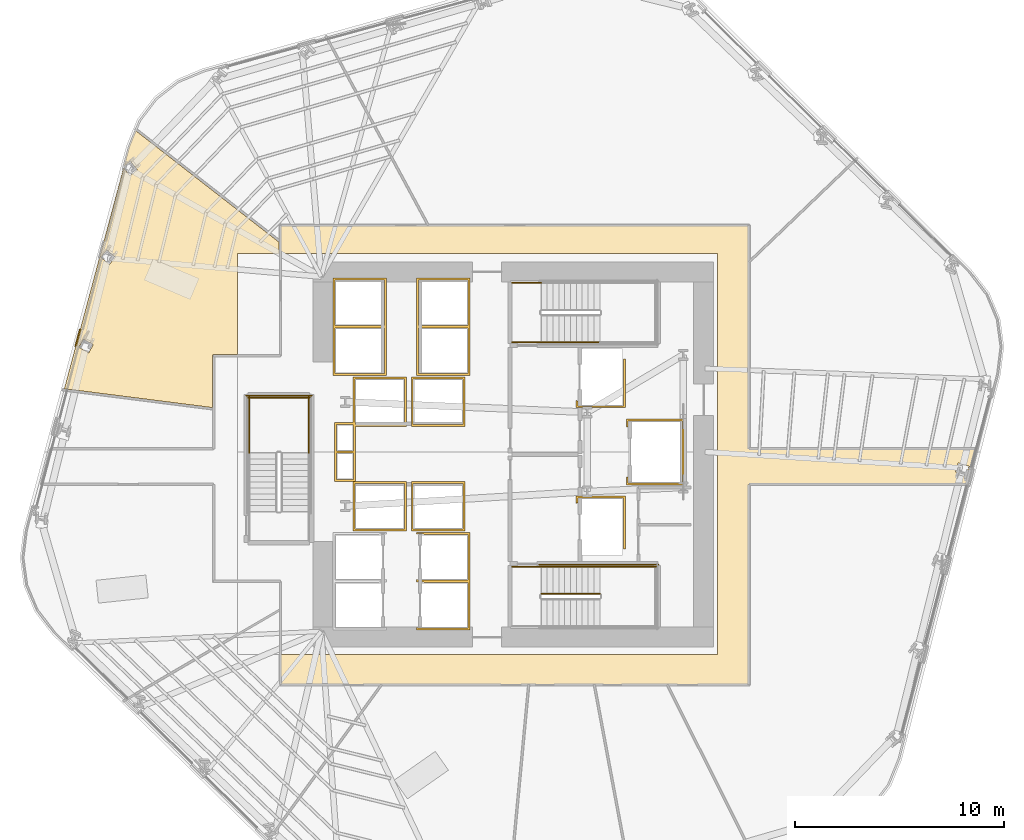
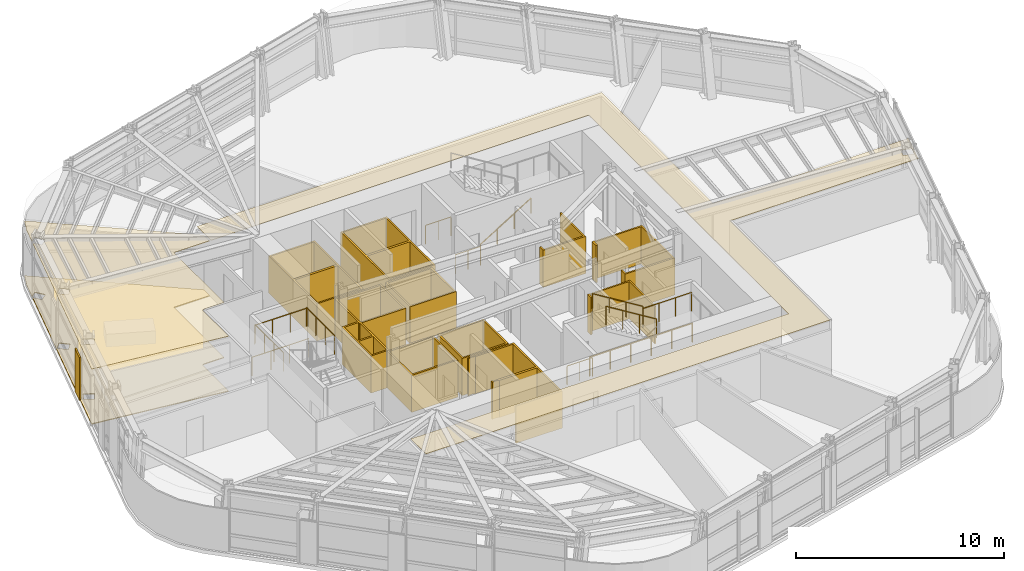
# One storey, part 13 of 16: 14 coverings, 12 railings.
"""IFC4 building model written with IfcOpenShell, lengths in metres."""

from ifc_helpers import new_model, si_unit, direction, frame, origin, origin_2d, place, context, subcontext, project, spatial, polyline, circle, outline, extrude, material, layer, layer_set, type_object, element, save


model = new_model("IFC4")

# Units and contexts
model_context = context("Model", 3, precision=1e-05, world=origin(), true_north=direction((0.0, 1.0)))
body_context = subcontext(model_context, "Body", "Model", "MODEL_VIEW")
ifc_project = project(units=[si_unit("LENGTHUNIT", "METRE"), si_unit("AREAUNIT", "SQUARE_METRE"), si_unit("VOLUMEUNIT", "CUBIC_METRE"), si_unit("PLANEANGLEUNIT", "RADIAN"), si_unit("MASSUNIT", "GRAM", prefix="KILO")], contexts=[model_context])

# Site, building, storey
site_placement = place(None, origin())
site = spatial("IfcSite", under=ifc_project, at=site_placement, CompositionType="ELEMENT")
building_placement = place(site_placement, origin())
building = spatial("IfcBuilding", under=site, at=building_placement, Name="Valkerne Bourse Tower", CompositionType="ELEMENT")
storey_placement = place(building_placement, frame((0.0, 0.0, 89.60009765625)))
storey = spatial("IfcBuildingStorey", under=building, at=storey_placement, Name="L22", CompositionType="ELEMENT", Elevation=89.60009765625)

# Coverings
ifc_material_1 = material(Name="Mineral Fiber Acoustic Ceiling Tile", Category="acoustic")
ifc_layer_1 = layer(ifc_material_1, 0.02490234375)
ifc_layer_set_1 = layer_set([ifc_layer_1], Name="Mineral Fiber Acoustic Ceiling Tile")
covering_type_1 = type_object("IfcCoveringType", Name="COV-CEIL-ACT", PredefinedType="CEILING", material=ifc_layer_set_1)
covering_1_placement = place(storey_placement, frame((0.0, 0.0, 3.22998046875)))
element("IfcCovering", 1, at=covering_1_placement, inside=storey, type_object=covering_type_1, Name="L22 Suspended Ceiling 07", PredefinedType="CEILING", context=body_context, shape_type="SweptSolid", body=[
    extrude(outline(polyline([(35.5810546875, 37.05078125), (35.5810546875, 36.5), (33.60009765625, 36.5), (33.60009765625, 31.6689453125), (32.44921875, 31.6689453125), (32.408447265625, 31.6552734375), (32.3876953125, 31.6298828125), (32.381103515625, 31.6005859375), (32.381103515625, 29.124267578125), (25.293701171875, 30.026611328125), (28.13134765625, 40.614013671875), (28.434326171875, 40.2333984375), (28.78564453125, 40.511962890625), (28.78759765625, 40.5146484375), (28.451904296875, 40.93603515625), (28.154296875, 40.7001953125), (28.40478515625, 41.635009765625), (28.7138671875, 42.3916015625), (35.5810546875, 37.05078125)]), holes=[polyline([(26.677001953125, 32.14111328125), (26.677734375, 32.14404296875), (26.2060546875, 32.404296875), (25.98876953125, 32.01220703125), (25.98779296875, 32.00927734375), (26.459716796875, 31.7490234375), (26.677001953125, 32.14111328125)]), polyline([(27.739501953125, 36.326416015625), (27.33056640625, 36.677490234375), (27.0380859375, 36.337890625), (27.03662109375, 36.3349609375), (27.4453125, 35.98388671875), (27.738037109375, 36.32373046875), (27.739501953125, 36.326416015625)])]), origin(), (0.0, 0.0, 1.0), 0.02490234375),
])
ifc_material_2 = material(Name="Bronze Anodised Aluminium AA 6063-T6", Category="aluminium")
ifc_layer_2 = layer(ifc_material_2, 0.030029296875)
ifc_layer_set_2 = layer_set([ifc_layer_2], Name="Bronze Anodised Aluminium AA 6063-T6")
covering_type_2 = type_object("IfcCoveringType", Name="COV-CEIL-METAL", PredefinedType="CEILING", material=ifc_layer_set_2)
covering_2_placement = place(storey_placement, frame((0.0, 0.0, 3.22998046875)))
element("IfcCovering", 2, at=covering_2_placement, inside=storey, type_object=covering_type_2, Name="L22 Suspended Ceiling 01", PredefinedType="CEILING", context=body_context, shape_type="SweptSolid", body=[
    extrude(outline(polyline([(68.948486328125, 27.14599609375), (68.51416015625, 25.4541015625), (58.095947265625, 25.4541015625), (58.095947265625, 15.85400390625), (35.654052734375, 15.85400390625), (35.654052734375, 17.300048828125), (56.60009765625, 17.300048828125), (56.60009765625, 36.5), (35.654052734375, 36.5), (35.654052734375, 37.845947265625), (58.095947265625, 37.845947265625), (58.095947265625, 27.14599609375), (68.948486328125, 27.14599609375)]), holes=[polyline([(68.646240234375, 26.310302734375), (68.646240234375, 26.313720703125), (68.131591796875, 26.472412109375), (67.99853515625, 26.044189453125), (67.998291015625, 26.041259765625), (68.51318359375, 25.88232421875), (68.646240234375, 26.310302734375)])]), origin(), (0.0, 0.0, 1.0), 0.02490234375),
])
ifc_layer_3 = layer(ifc_material_2, 0.06005859375)
ifc_layer_set_3 = layer_set([ifc_layer_3], Name="Bronze Anodised Aluminium AA 6063-T6")
covering_type_3 = type_object("IfcCoveringType", Name="COV-CRN-ALUM", PredefinedType="CLADDING", material=ifc_layer_set_3)
covering_3_placement = place(storey_placement, origin())
element("IfcCovering", 3, at=covering_3_placement, inside=storey, type_object=covering_type_3, Name="L22 Wind-Shaped Corner Aluminium Cladding 11", PredefinedType="CLADDING", context=body_context, shape_type="SweptSolid", body=[
    extrude(outline(polyline([(26.014892578125, 32.88720703125), (26.09228515625, 32.86669921875), (25.874755859375, 32.055419921875), (25.79736328125, 32.07568359375), (26.014892578125, 32.88720703125)])), origin(), (0.0, 0.0, 1.0), 2.5),
])
ifc_material_3 = material(Name="Galvanised Painted Steel", Category="steel")
ifc_layer_4 = layer(ifc_material_3, 0.044921875)
ifc_layer_set_4 = layer_set([ifc_layer_4], Name="Galvanised Painted Steel")
covering_type_4 = type_object("IfcCoveringType", Name="COV-FLR-RAF", PredefinedType="FLOORING", material=ifc_layer_set_4)
covering_4_placement = place(storey_placement, origin())
element("IfcCovering", 4, at=covering_4_placement, inside=storey, type_object=covering_type_4, Name="L22 Floor Finish 07", PredefinedType="FLOORING", context=body_context, shape_type="SweptSolid", body=[
    extrude(outline(polyline([(35.5810546875, 37.05078125), (35.5810546875, 36.5), (33.60009765625, 36.5), (33.60009765625, 31.6689453125), (32.44921875, 31.6689453125), (32.408447265625, 31.6552734375), (32.3876953125, 31.6298828125), (32.381103515625, 31.6005859375), (32.381103515625, 29.124267578125), (25.293701171875, 30.026611328125), (28.13134765625, 40.614013671875), (28.434326171875, 40.2333984375), (28.78564453125, 40.511962890625), (28.78759765625, 40.5146484375), (28.451904296875, 40.93603515625), (28.154296875, 40.7001953125), (28.40478515625, 41.635009765625), (28.7138671875, 42.3916015625), (35.5810546875, 37.05078125)]), holes=[polyline([(26.677001953125, 32.14111328125), (26.677734375, 32.14404296875), (26.2060546875, 32.404296875), (25.98876953125, 32.01220703125), (25.98779296875, 32.00927734375), (26.459716796875, 31.7490234375), (26.677001953125, 32.14111328125)]), polyline([(27.739501953125, 36.326416015625), (27.33056640625, 36.677490234375), (27.0380859375, 36.337890625), (27.03662109375, 36.3349609375), (27.4453125, 35.98388671875), (27.738037109375, 36.32373046875), (27.739501953125, 36.326416015625)])]), origin(), (0.0, 0.0, 1.0), 0.044921875),
])
ifc_material_4 = material(Name="Gypsum Shaftwall Liner Board", Category="gypsum")
ifc_layer_5 = layer(ifc_material_4, 0.080078125)
ifc_layer_set_5 = layer_set([ifc_layer_5], Name="Gypsum Shaftwall Liner Board")
covering_type_5 = type_object("IfcCoveringType", Name="COV-SHF-CLAD", PredefinedType="CLADDING", material=ifc_layer_set_5)
covering_5_placement = place(storey_placement, origin())
element("IfcCovering", 5, at=covering_5_placement, inside=storey, type_object=covering_type_5, Name="L22 Hoistway & Riser Shaftwall Liner 02", PredefinedType="CLADDING", context=body_context, shape_type="SweptSolid", body=[
    extrude(outline(polyline([(41.679931640625, 23.219970703125), (39.1201171875, 23.219970703125), (39.1201171875, 25.580078125), (41.679931640625, 25.580078125), (41.679931640625, 23.219970703125)]), holes=[polyline([(39.2099609375, 25.489990234375), (39.2099609375, 23.31005859375), (41.590087890625, 23.31005859375), (41.590087890625, 25.489990234375), (39.2099609375, 25.489990234375)])]), origin(), (0.0, 0.0, 1.0), 2.179931640625),
])
covering_6_placement = place(storey_placement, origin())
element("IfcCovering", 6, at=covering_6_placement, inside=storey, type_object=covering_type_5, Name="L22 Hoistway & Riser Shaftwall Liner 03", PredefinedType="CLADDING", context=body_context, shape_type="SweptSolid", body=[
    extrude(outline(polyline([(44.47998046875, 23.219970703125), (41.919921875, 23.219970703125), (41.919921875, 25.580078125), (44.47998046875, 25.580078125), (44.47998046875, 23.219970703125)]), holes=[polyline([(42.010009765625, 25.489990234375), (42.010009765625, 23.31005859375), (44.389892578125, 23.31005859375), (44.389892578125, 25.489990234375), (42.010009765625, 25.489990234375)])]), origin(), (0.0, 0.0, 1.0), 2.179931640625),
])
covering_7_placement = place(storey_placement, origin())
element("IfcCovering", 7, at=covering_7_placement, inside=storey, type_object=covering_type_5, Name="L22 Hoistway & Riser Shaftwall Liner 04", PredefinedType="CLADDING", context=body_context, shape_type="SweptSolid", body=[
    extrude(outline(polyline([(38.239990234375, 28.409912109375), (39.1201171875, 28.409912109375), (39.1201171875, 30.580078125), (41.679931640625, 30.580078125), (41.679931640625, 28.219970703125), (39.239990234375, 28.219970703125), (39.239990234375, 27.0400390625), (39.239990234375, 26.9599609375), (39.239990234375, 25.590087890625), (38.239990234375, 25.590087890625), (38.239990234375, 26.9599609375), (38.239990234375, 27.0400390625), (38.239990234375, 28.409912109375)]), holes=[polyline([(39.2099609375, 30.489990234375), (39.2099609375, 28.409912109375), (39.239990234375, 28.409912109375), (39.239990234375, 28.31005859375), (41.590087890625, 28.31005859375), (41.590087890625, 30.489990234375), (39.2099609375, 30.489990234375)]), polyline([(38.330078125, 26.949951171875), (38.330078125, 25.679931640625), (39.14990234375, 25.679931640625), (39.14990234375, 26.949951171875), (38.330078125, 26.949951171875)]), polyline([(39.1201171875, 28.219970703125), (39.1201171875, 28.320068359375), (38.330078125, 28.320068359375), (38.330078125, 27.050048828125), (39.14990234375, 27.050048828125), (39.14990234375, 28.219970703125), (39.1201171875, 28.219970703125)])]), origin(), (0.0, 0.0, 1.0), 2.179931640625),
])
covering_8_placement = place(storey_placement, origin())
element("IfcCovering", 8, at=covering_8_placement, inside=storey, type_object=covering_type_5, Name="L22 Hoistway & Riser Shaftwall Liner 05", PredefinedType="CLADDING", context=body_context, shape_type="SweptSolid", body=[
    extrude(outline(polyline([(38.169921875, 35.330078125), (40.72998046875, 35.330078125), (40.72998046875, 33.030029296875), (40.72998046875, 32.969970703125), (40.72998046875, 30.669921875), (38.169921875, 30.669921875), (38.169921875, 32.969970703125), (38.169921875, 33.030029296875), (38.169921875, 35.330078125)]), holes=[polyline([(38.260009765625, 32.93994140625), (38.260009765625, 30.760009765625), (40.639892578125, 30.760009765625), (40.639892578125, 32.93994140625), (38.260009765625, 32.93994140625)]), polyline([(38.260009765625, 35.239990234375), (38.260009765625, 33.06005859375), (40.639892578125, 33.06005859375), (40.639892578125, 35.239990234375), (38.260009765625, 35.239990234375)])]), origin(), (0.0, 0.0, 1.0), 2.179931640625),
])
covering_9_placement = place(storey_placement, origin())
element("IfcCovering", 9, at=covering_9_placement, inside=storey, type_object=covering_type_5, Name="L22 Hoistway & Riser Shaftwall Liner 06", PredefinedType="CLADDING", context=body_context, shape_type="SweptSolid", body=[
    extrude(outline(polyline([(42.169921875, 20.830078125), (42.169921875, 20.887939453125), (42.177734375, 20.88427734375), (42.219482421875, 20.869384765625), (42.26220703125, 20.858642578125), (42.305908203125, 20.852294921875), (42.35009765625, 20.85009765625), (42.39404296875, 20.852294921875), (42.437744140625, 20.858642578125), (42.443115234375, 20.860107421875), (44.639892578125, 20.860107421875), (44.639892578125, 23.0400390625), (42.555419921875, 23.0400390625), (42.522216796875, 23.0556640625), (42.480712890625, 23.070556640625), (42.437744140625, 23.081298828125), (42.39404296875, 23.087890625), (42.35009765625, 23.090087890625), (42.305908203125, 23.087890625), (42.26220703125, 23.081298828125), (42.219482421875, 23.070556640625), (42.177734375, 23.0556640625), (42.169921875, 23.052001953125), (42.169921875, 23.1298828125), (44.72998046875, 23.1298828125), (44.72998046875, 20.830078125), (44.72998046875, 20.77001953125), (44.72998046875, 18.469970703125), (42.169921875, 18.469970703125), (42.169921875, 18.587890625), (42.177734375, 18.584228515625), (42.219482421875, 18.5693359375), (42.26220703125, 18.55859375), (42.305908203125, 18.55224609375), (42.35009765625, 18.550048828125), (42.39404296875, 18.55224609375), (42.437744140625, 18.55859375), (42.443115234375, 18.56005859375), (44.639892578125, 18.56005859375), (44.639892578125, 20.739990234375), (42.555419921875, 20.739990234375), (42.522216796875, 20.755615234375), (42.480712890625, 20.7705078125), (42.437744140625, 20.781494140625), (42.39404296875, 20.787841796875), (42.35009765625, 20.7900390625), (42.305908203125, 20.787841796875), (42.26220703125, 20.781494140625), (42.219482421875, 20.7705078125), (42.177734375, 20.755615234375), (42.169921875, 20.752197265625), (42.169921875, 20.77001953125), (42.169921875, 20.830078125)])), origin(), (0.0, 0.0, 1.0), 2.179931640625),
])
covering_10_placement = place(storey_placement, origin())
element("IfcCovering", 10, at=covering_10_placement, inside=storey, type_object=covering_type_5, Name="L22 Hoistway & Riser Shaftwall Liner 07", PredefinedType="CLADDING", context=body_context, shape_type="SweptSolid", body=[
    extrude(outline(polyline([(52.179931640625, 22.35009765625), (52.090087890625, 22.35009765625), (52.090087890625, 24.7900390625), (49.909912109375, 24.7900390625), (49.909912109375, 24.560791015625), (49.869384765625, 24.550537109375), (49.827880859375, 24.53564453125), (49.820068359375, 24.531982421875), (49.820068359375, 24.8798828125), (52.179931640625, 24.8798828125), (52.179931640625, 22.35009765625)])), origin(), (0.0, 0.0, 1.0), 2.179931640625),
])
covering_11_placement = place(storey_placement, origin())
element("IfcCovering", 11, at=covering_11_placement, inside=storey, type_object=covering_type_5, Name="L22 Hoistway & Riser Shaftwall Liner 08", PredefinedType="CLADDING", context=body_context, shape_type="SweptSolid", body=[
    extrude(outline(polyline([(54.97998046875, 25.419921875), (52.219970703125, 25.419921875), (52.219970703125, 25.81787109375), (52.227783203125, 25.814208984375), (52.269287109375, 25.79931640625), (52.31005859375, 25.789306640625), (52.31005859375, 25.510009765625), (54.889892578125, 25.510009765625), (54.889892578125, 28.489990234375), (52.31005859375, 28.489990234375), (52.31005859375, 28.210693359375), (52.269287109375, 28.20068359375), (52.227783203125, 28.185791015625), (52.219970703125, 28.18212890625), (52.219970703125, 28.580078125), (54.97998046875, 28.580078125), (54.97998046875, 25.419921875)])), origin(), (0.0, 0.0, 1.0), 2.179931640625),
])
covering_12_placement = place(storey_placement, origin())
element("IfcCovering", 12, at=covering_12_placement, inside=storey, type_object=covering_type_5, Name="L22 Hoistway & Riser Shaftwall Liner 09", PredefinedType="CLADDING", context=body_context, shape_type="SweptSolid", body=[
    extrude(outline(polyline([(44.47998046875, 28.219970703125), (41.919921875, 28.219970703125), (41.919921875, 30.580078125), (44.47998046875, 30.580078125), (44.47998046875, 28.219970703125)]), holes=[polyline([(42.010009765625, 30.489990234375), (42.010009765625, 28.31005859375), (44.389892578125, 28.31005859375), (44.389892578125, 30.489990234375), (42.010009765625, 30.489990234375)])]), origin(), (0.0, 0.0, 1.0), 2.179931640625),
])
covering_13_placement = place(storey_placement, origin())
element("IfcCovering", 13, at=covering_13_placement, inside=storey, type_object=covering_type_5, Name="L22 Hoistway & Riser Shaftwall Liner 10", PredefinedType="CLADDING", context=body_context, shape_type="SweptSolid", body=[
    extrude(outline(polyline([(49.820068359375, 29.1201171875), (49.820068359375, 29.468017578125), (49.827880859375, 29.46435546875), (49.869384765625, 29.449462890625), (49.909912109375, 29.439208984375), (49.909912109375, 29.2099609375), (52.090087890625, 29.2099609375), (52.090087890625, 31.449951171875), (52.179931640625, 31.449951171875), (52.179931640625, 29.1201171875), (49.820068359375, 29.1201171875)])), origin(), (0.0, 0.0, 1.0), 2.179931640625),
])
covering_14_placement = place(storey_placement, origin())
element("IfcCovering", 14, at=covering_14_placement, inside=storey, type_object=covering_type_5, Name="L22 Hoistway & Riser Shaftwall Liner 11", PredefinedType="CLADDING", context=body_context, shape_type="SweptSolid", body=[
    extrude(outline(polyline([(44.72998046875, 35.330078125), (44.72998046875, 33.030029296875), (44.72998046875, 32.969970703125), (44.72998046875, 30.669921875), (42.169921875, 30.669921875), (42.169921875, 32.969970703125), (42.169921875, 33.030029296875), (42.169921875, 35.330078125), (44.72998046875, 35.330078125)]), holes=[polyline([(42.260009765625, 30.760009765625), (44.639892578125, 30.760009765625), (44.639892578125, 32.93994140625), (42.260009765625, 32.93994140625), (42.260009765625, 30.760009765625)]), polyline([(42.260009765625, 33.06005859375), (44.639892578125, 33.06005859375), (44.639892578125, 35.239990234375), (42.260009765625, 35.239990234375), (42.260009765625, 33.06005859375)])]), origin(), (0.0, 0.0, 1.0), 2.179931640625),
])

# Railings
railing_type_1 = type_object("IfcRailingType", Name="RLG-ST-GUARD-1120", PredefinedType="GUARDRAIL", material=ifc_material_3)
railing_1_placement = place(storey_placement, frame((50.949951171875, 21.5, 1.89990234375)))
element("IfcRailing", 15, at=railing_1_placement, inside=storey, type_object=railing_type_1, Name="L22 ST-1 stair guard 4", PredefinedType="GUARDRAIL", context=body_context, shape_type="SweptSolid", body=[
    extrude(circle(Radius=0.02392578125, at=origin_2d()), frame((0.0, 0.0, 1.09619140625), z_axis=(1.0, 0.0, 0.0), x_axis=(0.0, 1.0, 0.0)), (0.0, 0.0, 1.0), 2.699951171875),
    extrude(circle(Radius=0.02099609375, at=origin_2d()), origin(), (0.0, 0.0, 1.0), 1.072021484375),
    extrude(circle(Radius=0.02099609375, at=origin_2d()), frame((0.89990234375, 0.0, 0.0)), (0.0, 0.0, 1.0), 1.072021484375),
    extrude(circle(Radius=0.02099609375, at=origin_2d()), frame((1.800048828125, 0.0, 0.0)), (0.0, 0.0, 1.0), 1.072021484375),
    extrude(circle(Radius=0.02099609375, at=origin_2d()), frame((2.699951171875, 0.0, 0.0)), (0.0, 0.0, 1.0), 1.072021484375),
])
railing_2_placement = place(storey_placement, frame((50.949951171875, 20.199951171875, 2.072509765625)))
element("IfcRailing", 16, at=railing_2_placement, inside=storey, type_object=railing_type_1, Name="L22 ST-1 stair guard 6", PredefinedType="GUARDRAIL", context=body_context, shape_type="SweptSolid", body=[
    extrude(circle(Radius=0.02392578125, at=origin_2d()), frame((0.0, 0.0, 1.09619140625), z_axis=(-0.851089632645, 0.0, 0.525020415988), x_axis=(0.0, -1.0, 0.0)), (0.0, 0.0, 1.0), 3.2900390625),
    extrude(circle(Radius=0.02099609375, at=origin_2d()), origin(), (0.0, 0.0, 1.0), 1.072021484375),
    extrude(circle(Radius=0.02099609375, at=origin_2d()), frame((-0.933349609375, 0.0, 0.57568359375)), (0.0, 0.0, 1.0), 1.072021484375),
    extrude(circle(Radius=0.02099609375, at=origin_2d()), frame((-1.86669921875, 0.0, 1.151611328125)), (0.0, 0.0, 1.0), 1.072021484375),
    extrude(circle(Radius=0.02099609375, at=origin_2d()), frame((-2.800048828125, 0.0, 1.727294921875)), (0.0, 0.0, 1.0), 1.072021484375),
])
railing_3_placement = place(storey_placement, frame((46.75, 21.5, 0.0)))
element("IfcRailing", 17, at=railing_3_placement, inside=storey, type_object=railing_type_1, Name="L22 ST-1 stair guard 9", PredefinedType="GUARDRAIL", context=body_context, shape_type="SweptSolid", body=[
    extrude(circle(Radius=0.02392578125, at=origin_2d()), frame((0.0, 0.0, 1.09619140625), z_axis=(1.0, 0.0, 0.0), x_axis=(0.0, 1.0, 0.0)), (0.0, 0.0, 1.0), 1.39990234375),
    extrude(circle(Radius=0.02099609375, at=origin_2d()), origin(), (0.0, 0.0, 1.0), 1.072021484375),
    extrude(circle(Radius=0.02099609375, at=origin_2d()), frame((0.699951171875, 0.0, 0.0)), (0.0, 0.0, 1.0), 1.072021484375),
    extrude(circle(Radius=0.02099609375, at=origin_2d()), frame((1.39990234375, 0.0, 0.0)), (0.0, 0.0, 1.0), 1.072021484375),
])
railing_4_placement = place(storey_placement, frame((48.050048828125, 21.60009765625, 0.0)))
element("IfcRailing", 18, at=railing_4_placement, inside=storey, type_object=railing_type_1, Name="L22 ST-1 stair guard 11", PredefinedType="GUARDRAIL", context=body_context, shape_type="SweptSolid", body=[
    extrude(circle(Radius=0.02392578125, at=origin_2d()), frame((0.0, 0.0, 1.09619140625), z_axis=(1.0, 0.0, 0.0), x_axis=(0.0, 1.0, 0.0)), (0.0, 0.0, 1.0), 5.699951171875),
    extrude(circle(Radius=0.02099609375, at=origin_2d()), origin(), (0.0, 0.0, 1.0), 1.072021484375),
    extrude(circle(Radius=0.02099609375, at=origin_2d()), frame((1.139892578125, 0.0, 0.0)), (0.0, 0.0, 1.0), 1.072021484375),
    extrude(circle(Radius=0.02099609375, at=origin_2d()), frame((2.280029296875, 0.0, 0.0)), (0.0, 0.0, 1.0), 1.072021484375),
    extrude(circle(Radius=0.02099609375, at=origin_2d()), frame((3.419921875, 0.0, 0.0)), (0.0, 0.0, 1.0), 1.072021484375),
    extrude(circle(Radius=0.02099609375, at=origin_2d()), frame((4.56005859375, 0.0, 0.0)), (0.0, 0.0, 1.0), 1.072021484375),
    extrude(circle(Radius=0.02099609375, at=origin_2d()), frame((5.699951171875, 0.0, 0.0)), (0.0, 0.0, 1.0), 1.072021484375),
])
for number, where, name in (
    (19, (46.75, 32.25, 0.0), "L22 ST-2 stair guard 8"),
    (20, (46.75, 35.10009765625, 0.0), "L22 ST-2 stair guard 9"),
):
    element("IfcRailing", number, at=place(storey_placement, frame(where)), inside=storey, type_object=railing_type_1, Name=name, PredefinedType="GUARDRAIL", context=body_context, shape_type="SweptSolid", body=[
        extrude(circle(Radius=0.02392578125, at=origin_2d()), frame((0.0, 0.0, 1.09619140625), z_axis=(1.0, 0.0, 0.0), x_axis=(0.0, 1.0, 0.0)), (0.0, 0.0, 1.0), 1.39990234375),
        extrude(circle(Radius=0.02099609375, at=origin_2d()), origin(), (0.0, 0.0, 1.0), 1.072021484375),
        extrude(circle(Radius=0.02099609375, at=origin_2d()), frame((0.699951171875, 0.0, 0.0)), (0.0, 0.0, 1.0), 1.072021484375),
        extrude(circle(Radius=0.02099609375, at=origin_2d()), frame((1.39990234375, 0.0, 0.0)), (0.0, 0.0, 1.0), 1.072021484375),
    ])
for number, where, name in (
    (21, (37.0, 26.949951171875, 1.89990234375), "L22 ST-3 stair guard 3"),
    (22, (34.14990234375, 26.949951171875, 1.89990234375), "L22 ST-3 stair guard 4"),
):
    element("IfcRailing", number, at=place(storey_placement, frame(where)), inside=storey, type_object=railing_type_1, Name=name, PredefinedType="GUARDRAIL", context=body_context, shape_type="SweptSolid", body=[
        extrude(circle(Radius=0.02392578125, at=origin_2d()), frame((0.0, 0.0, 1.09619140625), z_axis=(0.0, 1.0, 0.0), x_axis=(-1.0, 0.0, 0.0)), (0.0, 0.0, 1.0), 2.699951171875),
        extrude(circle(Radius=0.02099609375, at=origin_2d()), origin(), (0.0, 0.0, 1.0), 1.072021484375),
        extrude(circle(Radius=0.02099609375, at=origin_2d()), frame((0.0, 0.89990234375, 0.0)), (0.0, 0.0, 1.0), 1.072021484375),
        extrude(circle(Radius=0.02099609375, at=origin_2d()), frame((0.0, 1.800048828125, 0.0)), (0.0, 0.0, 1.0), 1.072021484375),
        extrude(circle(Radius=0.02099609375, at=origin_2d()), frame((0.0, 2.699951171875, 0.0)), (0.0, 0.0, 1.0), 1.072021484375),
    ])
railing_5_placement = place(storey_placement, frame((37.050048828125, 29.60009765625, 1.89990234375)))
element("IfcRailing", 23, at=railing_5_placement, inside=storey, type_object=railing_type_1, Name="L22 ST-3 stair guard 5", PredefinedType="GUARDRAIL", context=body_context, shape_type="SweptSolid", body=[
    extrude(circle(Radius=0.02392578125, at=origin_2d()), frame((0.0, 0.0, 1.09619140625), z_axis=(-1.0, 0.0, 0.0), x_axis=(0.0, -1.0, 0.0)), (0.0, 0.0, 1.0), 2.949951171875),
    extrude(circle(Radius=0.02099609375, at=origin_2d()), origin(), (0.0, 0.0, 1.0), 1.072021484375),
    extrude(circle(Radius=0.02099609375, at=origin_2d()), frame((-0.9833984375, 0.0, 0.0)), (0.0, 0.0, 1.0), 1.072021484375),
    extrude(circle(Radius=0.02099609375, at=origin_2d()), frame((-1.966552734375, 0.0, 0.0)), (0.0, 0.0, 1.0), 1.072021484375),
    extrude(circle(Radius=0.02099609375, at=origin_2d()), frame((-2.949951171875, 0.0, 0.0)), (0.0, 0.0, 1.0), 1.072021484375),
])
railing_6_placement = place(storey_placement, frame((37.14990234375, 29.699951171875, 0.0)))
element("IfcRailing", 24, at=railing_6_placement, inside=storey, type_object=railing_type_1, Name="L22 ST-3 stair guard 12", PredefinedType="GUARDRAIL", context=body_context, shape_type="SweptSolid", body=[
    extrude(circle(Radius=0.02392578125, at=origin_2d()), frame((0.0, 0.0, 1.09619140625), z_axis=(-1.0, 0.0, 0.0), x_axis=(0.0, -1.0, 0.0)), (0.0, 0.0, 1.0), 3.14990234375),
    extrude(circle(Radius=0.02099609375, at=origin_2d()), origin(), (0.0, 0.0, 1.0), 1.072021484375),
    extrude(circle(Radius=0.02099609375, at=origin_2d()), frame((-1.050048828125, 0.0, 0.0)), (0.0, 0.0, 1.0), 1.072021484375),
    extrude(circle(Radius=0.02099609375, at=origin_2d()), frame((-2.099853515625, 0.0, 0.0)), (0.0, 0.0, 1.0), 1.072021484375),
    extrude(circle(Radius=0.02099609375, at=origin_2d()), frame((-3.14990234375, 0.0, 0.0)), (0.0, 0.0, 1.0), 1.072021484375),
])
ifc_material_5 = material(Name="Stainless Steel AISI 316", Category="steel")
railing_type_2 = type_object("IfcRailingType", Name="RLG-ST-HANDRAIL-900", PredefinedType="HANDRAIL", material=ifc_material_5)
railing_7_placement = place(storey_placement, frame((50.949951171875, 21.5, 2.245361328125)))
element("IfcRailing", 25, at=railing_7_placement, inside=storey, type_object=railing_type_2, Name="L22 ST-1 stair handrail 2", PredefinedType="HANDRAIL", context=body_context, shape_type="SweptSolid", body=[
    extrude(circle(Radius=0.02392578125, at=origin_2d()), frame((0.0, 0.0, 0.8759765625), z_axis=(-0.851089632645, 0.0, 0.525020415988), x_axis=(0.0, -1.0, 0.0)), (0.0, 0.0, 1.0), 3.2900390625),
    extrude(circle(Radius=0.02099609375, at=origin_2d()), origin(), (0.0, 0.0, 1.0), 0.851806640625),
    extrude(circle(Radius=0.02099609375, at=origin_2d()), frame((-0.933349609375, 0.0, 0.57568359375)), (0.0, 0.0, 1.0), 0.851806640625),
    extrude(circle(Radius=0.02099609375, at=origin_2d()), frame((-1.86669921875, 0.0, 1.151611328125)), (0.0, 0.0, 1.0), 0.851806640625),
    extrude(circle(Radius=0.02099609375, at=origin_2d()), frame((-2.800048828125, 0.0, 1.727294921875)), (0.0, 0.0, 1.0), 0.851806640625),
])
railing_8_placement = place(storey_placement, frame((48.14990234375, 32.25, 0.345458984375)))
element("IfcRailing", 26, at=railing_8_placement, inside=storey, type_object=railing_type_2, Name="L22 ST-2 stair handrail 1", PredefinedType="HANDRAIL", context=body_context, shape_type="SweptSolid", body=[
    extrude(circle(Radius=0.02392578125, at=origin_2d()), frame((0.0, 0.0, 0.8759765625), z_axis=(0.851122791225, 0.0, 0.524966660138), x_axis=(0.0, 1.0, 0.0)), (0.0, 0.0, 1.0), 3.289794921875),
    extrude(circle(Radius=0.02099609375, at=origin_2d()), origin(), (0.0, 0.0, 1.0), 0.851806640625),
    extrude(circle(Radius=0.02099609375, at=origin_2d()), frame((0.933349609375, 0.0, 0.57568359375)), (0.0, 0.0, 1.0), 0.851806640625),
    extrude(circle(Radius=0.02099609375, at=origin_2d()), frame((1.86669921875, 0.0, 1.1513671875)), (0.0, 0.0, 1.0), 0.851806640625),
    extrude(circle(Radius=0.02099609375, at=origin_2d()), frame((2.800048828125, 0.0, 1.72705078125)), (0.0, 0.0, 1.0), 0.851806640625),
])

save(model, "model.ifc")
